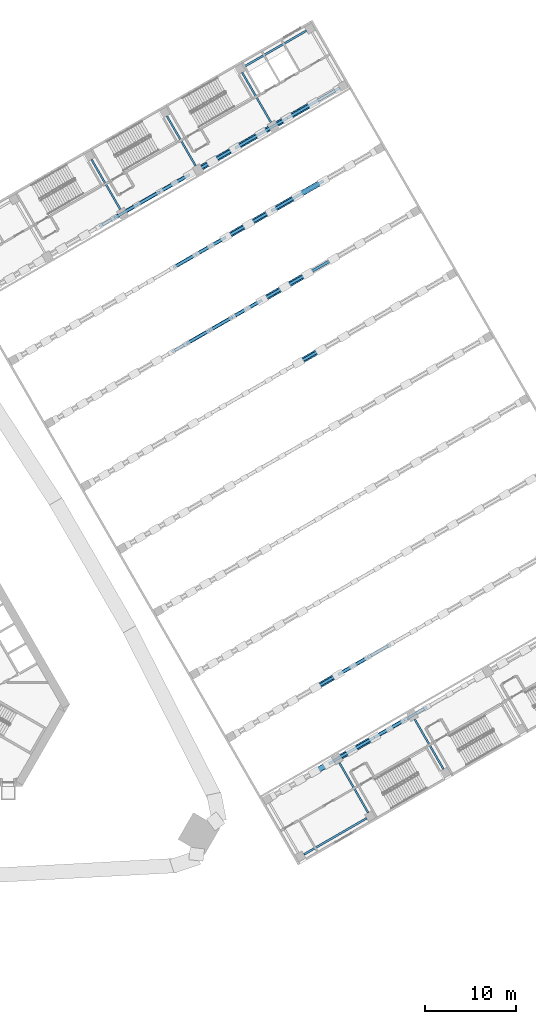
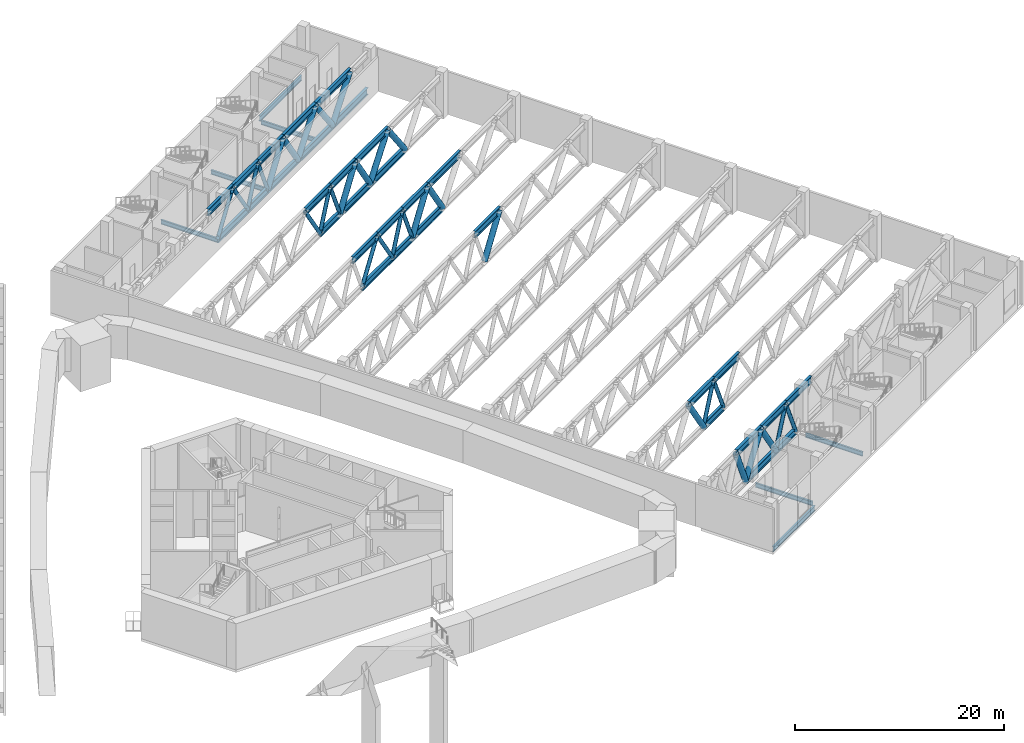
# One storey, part 9 of 37: 63 members, 7 beams.
"""IFC4 building model written with IfcOpenShell, lengths in metres."""

from ifc_helpers import new_model, si_unit, direction, frame, origin, origin_2d, place, context, subcontext, project, spatial, hollow_circle, i_section, extrude, material, material_profile, profile_set, type_object, element, save


model = new_model("IFC4")

# Units and contexts
model_context = context("Model", 3, precision=1e-05, world=origin(), true_north=direction((0.0, 1.0)))
body_context = subcontext(model_context, "Body", "Model", "MODEL_VIEW")
ifc_project = project(units=[si_unit("LENGTHUNIT", "METRE"), si_unit("AREAUNIT", "SQUARE_METRE"), si_unit("VOLUMEUNIT", "CUBIC_METRE"), si_unit("PLANEANGLEUNIT", "RADIAN"), si_unit("MASSUNIT", "GRAM", prefix="KILO")], contexts=[model_context])

# Site, building, storey
site_placement = place(None, origin())
site = spatial("IfcSite", under=ifc_project, at=site_placement, CompositionType="ELEMENT")
building_placement = place(site_placement, origin())
building = spatial("IfcBuilding", under=site, at=building_placement, Name="Mestral Congress Tower", CompositionType="ELEMENT")
storey_placement = place(building_placement, frame((0.0, 0.0, 16.199951171875)))
storey = spatial("IfcBuildingStorey", under=building, at=storey_placement, Name="L03", CompositionType="ELEMENT", Elevation=16.199951171875)

# Beams
ifc_material = material(Name="Steel S355", Category="steel")
ifc_material_profile_1 = material_profile(ifc_material, i_section(OverallWidth=0.199951171875, OverallDepth=0.5, WebThickness=0.01025390625, FlangeThickness=0.01611328125, FilletRadius=0.02099609375, at=origin_2d()), Name="IPE 500")
ifc_profile_set_1 = profile_set([ifc_material_profile_1], Name="Steel S355")
beam_type_1 = type_object("IfcBeamType", Name="Floor beam IPE 500 S355", PredefinedType="BEAM", material=ifc_profile_set_1)
for number, where, z_axis, x_axis, name in (
    (1, (50.193115234375, -15.881103515625, -0.550048828125), (-0.500005339912, 0.866022320763, 0.0), (-0.866022320763, -0.500005339912, 0.0), "BM-L03-E-U01B"),
    (2, (58.507080078125, -11.0810546875, -0.550048828125), (-0.500005339912, 0.866022320763, 0.0), (-0.866022320763, -0.500005339912, 0.0), "BM-L03-E-U01C"),
    (3, (22.83203125, 50.709716796875, -0.550048828125), (-0.500005339912, 0.866022320763, 0.0), (-0.866022320763, -0.500005339912, 0.0), "BM-L03-E-U10C"),
    (4, (31.145751953125, 55.509765625, -0.550048828125), (-0.500005339912, 0.866022320763, 0.0), (-0.866022320763, -0.500005339912, 0.0), "BM-L03-E-U10D"),
    (5, (39.459716796875, 60.309814453125, -0.550048828125), (-0.500005339912, 0.866022320763, 0.0), (-0.866022320763, -0.500005339912, 0.0), "BM-L03-E-U10E"),
):
    element("IfcBeam", number, at=place(storey_placement, frame(where, z_axis=z_axis, x_axis=x_axis)), inside=storey, type_object=beam_type_1, Name=name, PredefinedType="BEAM", context=body_context, shape_type="SweptSolid", body=[
        extrude(i_section(OverallWidth=0.199951171875, OverallDepth=0.5, WebThickness=0.01025390625, FlangeThickness=0.01611328125, FilletRadius=0.02099609375, at=origin_2d()), origin(), (0.0, 0.0, 1.0), 6.35009765625),
    ])
ifc_material_profile_2 = material_profile(ifc_material, i_section(OverallWidth=0.219970703125, OverallDepth=0.60009765625, WebThickness=0.011962890625, FlangeThickness=0.01904296875, FilletRadius=0.02392578125, at=origin_2d()), Name="IPE 600")
ifc_profile_set_2 = profile_set([ifc_material_profile_2], Name="Steel S355")
beam_type_2 = type_object("IfcBeamType", Name="Floor beam IPE 600 S355", PredefinedType="BEAM", material=ifc_profile_set_2)
for number, where, z_axis, x_axis, name in (
    (6, (43.10009765625, -20.495849609375, -0.599853515625), (0.866026010844, 0.49999894854, 0.0), (-0.49999894854, 0.866026010844, 0.0), "BM-L03-E-V01A"),
    (7, (36.449462890625, 66.423828125, -0.599853515625), (0.866026010844, 0.49999894854, 0.0), (-0.49999894854, 0.866026010844, 0.0), "BM-L03-E-V11E"),
):
    element("IfcBeam", number, at=place(storey_placement, frame(where, z_axis=z_axis, x_axis=x_axis)), inside=storey, type_object=beam_type_2, Name=name, PredefinedType="BEAM", context=body_context, shape_type="SweptSolid", body=[
        extrude(i_section(OverallWidth=0.219970703125, OverallDepth=0.60009765625, WebThickness=0.011962890625, FlangeThickness=0.01904296875, FilletRadius=0.02392578125, at=origin_2d()), origin(), (0.0, 0.0, 1.0), 8.0),
    ])

# Members
ifc_material_profile_3 = material_profile(ifc_material, i_section(OverallWidth=0.300048828125, OverallDepth=0.800048828125, WebThickness=0.017578125, FlangeThickness=0.032958984375, FilletRadius=0.030029296875, at=origin_2d()), Name="HEB 800")
ifc_profile_set_3 = profile_set([ifc_material_profile_3], Name="Steel S355")
member_type_1 = type_object("IfcMemberType", Name="Truss chord HEB 800 S355", PredefinedType="CHORD", material=ifc_profile_set_3)
member_1_placement = place(storey_placement, frame((45.85888671875, -10.473876953125, 0.400146484375), z_axis=(0.86601454848, 0.500018801468, 0.0), x_axis=(-0.500018801468, 0.86601454848, 0.0)))
element("IfcMember", 8, at=member_1_placement, inside=storey, type_object=member_type_1, Name="MB-E-T1-BC03", PredefinedType="CHORD", context=body_context, shape_type="SweptSolid", body=[
    extrude(i_section(OverallWidth=0.300048828125, OverallDepth=0.800048828125, WebThickness=0.017578125, FlangeThickness=0.032958984375, FilletRadius=0.030029296875, at=origin_2d()), origin(), (0.0, 0.0, 1.0), 5.800048828125),
])
member_2_placement = place(storey_placement, frame((50.8818359375, -7.57373046875, 0.400146484375), z_axis=(0.866028304915, 0.499994975061, 0.0), x_axis=(-0.499994975061, 0.866028304915, 0.0)))
element("IfcMember", 9, at=member_2_placement, inside=storey, type_object=member_type_1, Name="MB-E-T1-BC04", PredefinedType="CHORD", context=body_context, shape_type="SweptSolid", body=[
    extrude(i_section(OverallWidth=0.300048828125, OverallDepth=0.800048828125, WebThickness=0.017578125, FlangeThickness=0.032958984375, FilletRadius=0.030029296875, at=origin_2d()), origin(), (0.0, 0.0, 1.0), 3.7998046875),
])
member_3_placement = place(storey_placement, frame((44.256591796875, -11.398681640625, 4.699951171875), z_axis=(0.866033238375, 0.499986429846, 0.0), x_axis=(-0.499986429846, 0.866033238375, 0.0)))
element("IfcMember", 10, at=member_3_placement, inside=storey, type_object=member_type_1, Name="MB-E-T1-TC03", PredefinedType="CHORD", context=body_context, shape_type="SweptSolid", body=[
    extrude(i_section(OverallWidth=0.300048828125, OverallDepth=0.800048828125, WebThickness=0.017578125, FlangeThickness=0.032958984375, FilletRadius=0.030029296875, at=origin_2d()), origin(), (0.0, 0.0, 1.0), 4.750244140625),
])
member_4_placement = place(storey_placement, frame((48.370361328125, -9.023681640625, 4.699951171875), z_axis=(0.866024647952, 0.500001309137, 0.0), x_axis=(-0.500001309137, 0.866024647952, 0.0)))
element("IfcMember", 11, at=member_4_placement, inside=storey, type_object=member_type_1, Name="MB-E-T1-TC04", PredefinedType="CHORD", context=body_context, shape_type="SweptSolid", body=[
    extrude(i_section(OverallWidth=0.300048828125, OverallDepth=0.800048828125, WebThickness=0.017578125, FlangeThickness=0.032958984375, FilletRadius=0.030029296875, at=origin_2d()), origin(), (0.0, 0.0, 1.0), 4.7998046875),
])
member_5_placement = place(storey_placement, frame((52.527099609375, -6.623779296875, 4.699951171875), z_axis=(0.866037363387, 0.499979284789, 0.0), x_axis=(-0.499979284789, 0.866037363387, 0.0)))
element("IfcMember", 12, at=member_5_placement, inside=storey, type_object=member_type_1, Name="MB-E-T1-TC05", PredefinedType="CHORD", context=body_context, shape_type="SweptSolid", body=[
    extrude(i_section(OverallWidth=0.300048828125, OverallDepth=0.800048828125, WebThickness=0.017578125, FlangeThickness=0.032958984375, FilletRadius=0.030029296875, at=origin_2d()), origin(), (0.0, 0.0, 1.0), 4.800048828125),
])
member_6_placement = place(storey_placement, frame((46.8818359375, -0.6455078125, 0.400146484375), z_axis=(0.866028304915, 0.499994975061, 0.0), x_axis=(-0.499994975061, 0.866028304915, 0.0)))
element("IfcMember", 13, at=member_6_placement, inside=storey, type_object=member_type_1, Name="MB-E-T2-BC04", PredefinedType="CHORD", context=body_context, shape_type="SweptSolid", body=[
    extrude(i_section(OverallWidth=0.300048828125, OverallDepth=0.800048828125, WebThickness=0.017578125, FlangeThickness=0.032958984375, FilletRadius=0.030029296875, at=origin_2d()), origin(), (0.0, 0.0, 1.0), 3.7998046875),
])
member_7_placement = place(storey_placement, frame((44.370361328125, -2.095703125, 4.699951171875), z_axis=(0.866002622515, 0.50003945624, 0.0), x_axis=(-0.50003945624, 0.866002622515, 0.0)))
element("IfcMember", 14, at=member_7_placement, inside=storey, type_object=member_type_1, Name="MB-E-T2-TC04", PredefinedType="CHORD", context=body_context, shape_type="SweptSolid", body=[
    extrude(i_section(OverallWidth=0.300048828125, OverallDepth=0.800048828125, WebThickness=0.017578125, FlangeThickness=0.032958984375, FilletRadius=0.030029296875, at=origin_2d()), origin(), (0.0, 0.0, 1.0), 4.7998046875),
])
for number, where, z_axis, x_axis, name in (
    (15, (48.527099609375, 0.304443359375, 4.699951171875), (0.866037363387, 0.499979284789, 0.0), (-0.499979284789, 0.866037363387, 0.0), "MB-E-T2-TC05"),
    (16, (40.841064453125, 32.817138671875, 4.699951171875), (0.866015339567, 0.500017431331, 0.0), (-0.500017431331, 0.866015339567, 0.0), "MB-E-T6-TC07"),
):
    element("IfcMember", number, at=place(storey_placement, frame(where, z_axis=z_axis, x_axis=x_axis)), inside=storey, type_object=member_type_1, Name=name, PredefinedType="CHORD", context=body_context, shape_type="SweptSolid", body=[
        extrude(i_section(OverallWidth=0.300048828125, OverallDepth=0.800048828125, WebThickness=0.017578125, FlangeThickness=0.032958984375, FilletRadius=0.030029296875, at=origin_2d()), origin(), (0.0, 0.0, 1.0), 4.800048828125),
    ])
member_8_placement = place(storey_placement, frame((30.172607421875, 35.8955078125, 0.400146484375), z_axis=(0.866032775405, 0.499987231761, 0.0), x_axis=(-0.499987231761, 0.866032775405, 0.0)))
element("IfcMember", 17, at=member_8_placement, inside=storey, type_object=member_type_1, Name="MB-E-T7-BC05", PredefinedType="CHORD", context=body_context, shape_type="SweptSolid", body=[
    extrude(i_section(OverallWidth=0.300048828125, OverallDepth=0.800048828125, WebThickness=0.017578125, FlangeThickness=0.032958984375, FilletRadius=0.030029296875, at=origin_2d()), origin(), (0.0, 0.0, 1.0), 5.800048828125),
])
member_9_placement = place(storey_placement, frame((35.195556640625, 38.79541015625, 0.400146484375), z_axis=(0.866044365799, 0.499967155389, 0.0), x_axis=(-0.499967155389, 0.866044365799, 0.0)))
element("IfcMember", 18, at=member_9_placement, inside=storey, type_object=member_type_1, Name="MB-E-T7-BC06", PredefinedType="CHORD", context=body_context, shape_type="SweptSolid", body=[
    extrude(i_section(OverallWidth=0.300048828125, OverallDepth=0.800048828125, WebThickness=0.017578125, FlangeThickness=0.032958984375, FilletRadius=0.030029296875, at=origin_2d()), origin(), (0.0, 0.0, 1.0), 3.800048828125),
])
member_10_placement = place(storey_placement, frame((38.486572265625, 40.6953125, 0.400146484375), z_axis=(0.86601454848, 0.500018801468, 0.0), x_axis=(-0.500018801468, 0.86601454848, 0.0)))
element("IfcMember", 19, at=member_10_placement, inside=storey, type_object=member_type_1, Name="MB-E-T7-BC07", PredefinedType="CHORD", context=body_context, shape_type="SweptSolid", body=[
    extrude(i_section(OverallWidth=0.300048828125, OverallDepth=0.800048828125, WebThickness=0.017578125, FlangeThickness=0.032958984375, FilletRadius=0.030029296875, at=origin_2d()), origin(), (0.0, 0.0, 1.0), 5.800048828125),
])
for number, where, z_axis, x_axis, name in (
    (20, (28.527099609375, 34.9453125, 4.699951171875), (0.866015339567, 0.500017431331, 0.0), (-0.500017431331, 0.866015339567, 0.0), "MB-E-T7-TC05"),
    (21, (32.68408203125, 37.345458984375, 4.699951171875), (0.866037363387, 0.499979284789, 0.0), (-0.499979284789, 0.866037363387, 0.0), "MB-E-T7-TC06"),
    (22, (36.841064453125, 39.745361328125, 4.699951171875), (0.866015339567, 0.500017431331, 0.0), (-0.500017431331, 0.866015339567, 0.0), "MB-E-T7-TC07"),
):
    element("IfcMember", number, at=place(storey_placement, frame(where, z_axis=z_axis, x_axis=x_axis)), inside=storey, type_object=member_type_1, Name=name, PredefinedType="CHORD", context=body_context, shape_type="SweptSolid", body=[
        extrude(i_section(OverallWidth=0.300048828125, OverallDepth=0.800048828125, WebThickness=0.017578125, FlangeThickness=0.032958984375, FilletRadius=0.030029296875, at=origin_2d()), origin(), (0.0, 0.0, 1.0), 4.800048828125),
    ])
member_11_placement = place(storey_placement, frame((40.998046875, 42.1455078125, 4.699951171875), z_axis=(0.866033407698, 0.499986136558, 0.0), x_axis=(-0.499986136558, 0.866033407698, 0.0)))
element("IfcMember", 23, at=member_11_placement, inside=storey, type_object=member_type_1, Name="MB-E-T7-TC08", PredefinedType="CHORD", context=body_context, shape_type="SweptSolid", body=[
    extrude(i_section(OverallWidth=0.300048828125, OverallDepth=0.800048828125, WebThickness=0.017578125, FlangeThickness=0.032958984375, FilletRadius=0.030029296875, at=origin_2d()), origin(), (0.0, 0.0, 1.0), 6.224853515625),
])
member_12_placement = place(storey_placement, frame((31.195556640625, 45.7236328125, 0.400146484375), z_axis=(0.866044365799, 0.499967155389, 0.0), x_axis=(-0.499967155389, 0.866044365799, 0.0)))
element("IfcMember", 24, at=member_12_placement, inside=storey, type_object=member_type_1, Name="MB-E-T8-BC06", PredefinedType="CHORD", context=body_context, shape_type="SweptSolid", body=[
    extrude(i_section(OverallWidth=0.300048828125, OverallDepth=0.800048828125, WebThickness=0.017578125, FlangeThickness=0.032958984375, FilletRadius=0.030029296875, at=origin_2d()), origin(), (0.0, 0.0, 1.0), 3.800048828125),
])
member_13_placement = place(storey_placement, frame((34.486572265625, 47.62353515625, 0.400146484375), z_axis=(0.86601454848, 0.500018801468, 0.0), x_axis=(-0.500018801468, 0.86601454848, 0.0)))
element("IfcMember", 25, at=member_13_placement, inside=storey, type_object=member_type_1, Name="MB-E-T8-BC07", PredefinedType="CHORD", context=body_context, shape_type="SweptSolid", body=[
    extrude(i_section(OverallWidth=0.300048828125, OverallDepth=0.800048828125, WebThickness=0.017578125, FlangeThickness=0.032958984375, FilletRadius=0.030029296875, at=origin_2d()), origin(), (0.0, 0.0, 1.0), 5.800048828125),
])
member_14_placement = place(storey_placement, frame((39.509521484375, 50.523681640625, 0.400146484375), z_axis=(0.866027239912, 0.49999681972, 0.0), x_axis=(-0.49999681972, 0.866027239912, 0.0)))
element("IfcMember", 26, at=member_14_placement, inside=storey, type_object=member_type_1, Name="MB-E-T8-BC08", PredefinedType="CHORD", context=body_context, shape_type="SweptSolid", body=[
    extrude(i_section(OverallWidth=0.300048828125, OverallDepth=0.800048828125, WebThickness=0.017578125, FlangeThickness=0.032958984375, FilletRadius=0.030029296875, at=origin_2d()), origin(), (0.0, 0.0, 1.0), 6.64990234375),
])
for number, where, z_axis, x_axis, name in (
    (27, (28.68408203125, 44.273681640625, 4.699951171875), (0.866037363387, 0.499979284789, 0.0), (-0.499979284789, 0.866037363387, 0.0), "MB-E-T8-TC06"),
    (28, (32.841064453125, 46.673583984375, 4.699951171875), (0.866037363387, 0.499979284789, 0.0), (-0.499979284789, 0.866037363387, 0.0), "MB-E-T8-TC07"),
):
    element("IfcMember", number, at=place(storey_placement, frame(where, z_axis=z_axis, x_axis=x_axis)), inside=storey, type_object=member_type_1, Name=name, PredefinedType="CHORD", context=body_context, shape_type="SweptSolid", body=[
        extrude(i_section(OverallWidth=0.300048828125, OverallDepth=0.800048828125, WebThickness=0.017578125, FlangeThickness=0.032958984375, FilletRadius=0.030029296875, at=origin_2d()), origin(), (0.0, 0.0, 1.0), 4.800048828125),
    ])
member_15_placement = place(storey_placement, frame((36.998046875, 49.073486328125, 4.699951171875), z_axis=(0.866016424762, 0.5000155518, 0.0), x_axis=(-0.5000155518, 0.866016424762, 0.0)))
element("IfcMember", 29, at=member_15_placement, inside=storey, type_object=member_type_1, Name="MB-E-T8-TC08", PredefinedType="CHORD", context=body_context, shape_type="SweptSolid", body=[
    extrude(i_section(OverallWidth=0.300048828125, OverallDepth=0.800048828125, WebThickness=0.017578125, FlangeThickness=0.032958984375, FilletRadius=0.030029296875, at=origin_2d()), origin(), (0.0, 0.0, 1.0), 6.224853515625),
])
member_16_placement = place(storey_placement, frame((22.172607421875, 49.751708984375, 0.400146484375), z_axis=(0.86601454848, 0.500018801468, 0.0), x_axis=(-0.500018801468, 0.86601454848, 0.0)))
element("IfcMember", 30, at=member_16_placement, inside=storey, type_object=member_type_1, Name="MB-E-T9-BC05", PredefinedType="CHORD", context=body_context, shape_type="SweptSolid", body=[
    extrude(i_section(OverallWidth=0.300048828125, OverallDepth=0.800048828125, WebThickness=0.017578125, FlangeThickness=0.032958984375, FilletRadius=0.030029296875, at=origin_2d()), origin(), (0.0, 0.0, 1.0), 5.800048828125),
])
member_17_placement = place(storey_placement, frame((27.195556640625, 52.65185546875, 0.400146484375), z_axis=(0.866044365799, 0.499967155389, 0.0), x_axis=(-0.499967155389, 0.866044365799, 0.0)))
element("IfcMember", 31, at=member_17_placement, inside=storey, type_object=member_type_1, Name="MB-E-T9-BC06", PredefinedType="CHORD", context=body_context, shape_type="SweptSolid", body=[
    extrude(i_section(OverallWidth=0.300048828125, OverallDepth=0.800048828125, WebThickness=0.017578125, FlangeThickness=0.032958984375, FilletRadius=0.030029296875, at=origin_2d()), origin(), (0.0, 0.0, 1.0), 3.800048828125),
])
member_18_placement = place(storey_placement, frame((30.486572265625, 54.5517578125, 0.400146484375), z_axis=(0.86601454848, 0.500018801468, 0.0), x_axis=(-0.500018801468, 0.86601454848, 0.0)))
element("IfcMember", 32, at=member_18_placement, inside=storey, type_object=member_type_1, Name="MB-E-T9-BC07", PredefinedType="CHORD", context=body_context, shape_type="SweptSolid", body=[
    extrude(i_section(OverallWidth=0.300048828125, OverallDepth=0.800048828125, WebThickness=0.017578125, FlangeThickness=0.032958984375, FilletRadius=0.030029296875, at=origin_2d()), origin(), (0.0, 0.0, 1.0), 5.800048828125),
])
for number, where, z_axis, x_axis, name in (
    (33, (35.509521484375, 57.451904296875, 0.400146484375), (0.866027239912, 0.49999681972, 0.0), (-0.49999681972, 0.866027239912, 0.0), "MB-E-T9-BC08"),
    (34, (41.2685546875, 60.77685546875, 0.400146484375), (0.866027239912, 0.49999681972, 0.0), (-0.49999681972, 0.866027239912, 0.0), "MB-E-T9-BC09"),
):
    element("IfcMember", number, at=place(storey_placement, frame(where, z_axis=z_axis, x_axis=x_axis)), inside=storey, type_object=member_type_1, Name=name, PredefinedType="CHORD", context=body_context, shape_type="SweptSolid", body=[
        extrude(i_section(OverallWidth=0.300048828125, OverallDepth=0.800048828125, WebThickness=0.017578125, FlangeThickness=0.032958984375, FilletRadius=0.030029296875, at=origin_2d()), origin(), (0.0, 0.0, 1.0), 6.64990234375),
    ])
for number, where, z_axis, x_axis, name in (
    (35, (20.527099609375, 48.8017578125, 4.699951171875), (0.866015339567, 0.500017431331, 0.0), (-0.500017431331, 0.866015339567, 0.0), "MB-E-T9-TC05"),
    (36, (24.68408203125, 51.201904296875, 4.699951171875), (0.866037363387, 0.499979284789, 0.0), (-0.499979284789, 0.866037363387, 0.0), "MB-E-T9-TC06"),
    (37, (28.841064453125, 53.601806640625, 4.699951171875), (0.866037363387, 0.499979284789, 0.0), (-0.499979284789, 0.866037363387, 0.0), "MB-E-T9-TC07"),
):
    element("IfcMember", number, at=place(storey_placement, frame(where, z_axis=z_axis, x_axis=x_axis)), inside=storey, type_object=member_type_1, Name=name, PredefinedType="CHORD", context=body_context, shape_type="SweptSolid", body=[
        extrude(i_section(OverallWidth=0.300048828125, OverallDepth=0.800048828125, WebThickness=0.017578125, FlangeThickness=0.032958984375, FilletRadius=0.030029296875, at=origin_2d()), origin(), (0.0, 0.0, 1.0), 4.800048828125),
    ])
member_19_placement = place(storey_placement, frame((32.998046875, 56.001708984375, 4.699951171875), z_axis=(0.866016424762, 0.5000155518, 0.0), x_axis=(-0.5000155518, 0.866016424762, 0.0)))
element("IfcMember", 38, at=member_19_placement, inside=storey, type_object=member_type_1, Name="MB-E-T9-TC08", PredefinedType="CHORD", context=body_context, shape_type="SweptSolid", body=[
    extrude(i_section(OverallWidth=0.300048828125, OverallDepth=0.800048828125, WebThickness=0.017578125, FlangeThickness=0.032958984375, FilletRadius=0.030029296875, at=origin_2d()), origin(), (0.0, 0.0, 1.0), 6.224853515625),
])
member_20_placement = place(storey_placement, frame((38.388916015625, 59.1142578125, 4.699951171875), z_axis=(0.866036417653, 0.499980922934, 0.0), x_axis=(-0.499980922934, 0.866036417653, 0.0)))
element("IfcMember", 39, at=member_20_placement, inside=storey, type_object=member_type_1, Name="MB-E-T9-TC09", PredefinedType="CHORD", context=body_context, shape_type="SweptSolid", body=[
    extrude(i_section(OverallWidth=0.300048828125, OverallDepth=0.800048828125, WebThickness=0.017578125, FlangeThickness=0.032958984375, FilletRadius=0.030029296875, at=origin_2d()), origin(), (0.0, 0.0, 1.0), 6.650146484375),
])
ifc_material_profile_4 = material_profile(ifc_material, hollow_circle(Radius=0.203125, WallThickness=0.01611328125, at=origin_2d()), Name="CHS 406.4x16")
ifc_profile_set_4 = profile_set([ifc_material_profile_4], Name="Steel S355")
member_type_2 = type_object("IfcMemberType", Name="Truss diagonal CHS 406.4x16 S355", PredefinedType="BRACE", material=ifc_profile_set_4)
for number, where, z_axis, x_axis, name in (
    (40, (50.8818359375, -7.57373046875, 0.400146484375), (0.349995738631, 0.20208241861, 0.914694309061), (-0.500022797313, 0.86601224135, 0.0), "MB-E-T1-D07"),
    (41, (52.527099609375, -6.623779296875, 4.699951171875), (0.350041311257, 0.202078745119, -0.914677681582), (-0.499967155389, 0.866044365799, 0.0), "MB-E-T1-D08"),
    (42, (46.8818359375, -0.6455078125, 0.400146484375), (0.349995738631, 0.20208241861, 0.914694309061), (-0.500022797313, 0.86601224135, 0.0), "MB-E-T2-D07"),
    (43, (48.527099609375, 0.304443359375, 4.699951171875), (0.350041311257, 0.202078745119, -0.914677681582), (-0.499967155389, 0.866044365799, 0.0), "MB-E-T2-D08"),
):
    element("IfcMember", number, at=place(storey_placement, frame(where, z_axis=z_axis, x_axis=x_axis)), inside=storey, type_object=member_type_2, Name=name, PredefinedType="BRACE", context=body_context, shape_type="SweptSolid", body=[
        extrude(hollow_circle(Radius=0.203125, WallThickness=0.01611328125, at=origin_2d()), origin(), (0.0, 0.0, 1.0), 4.700927734375),
    ])
for number, where, z_axis, x_axis, name in (
    (44, (30.172607421875, 35.8955078125, 0.400146484375), (0.484247420666, 0.279570859467, 0.829062464544), (-0.499987231761, 0.866032775405, 0.0), "MB-E-T7-D09"),
    (45, (32.68408203125, 37.345458984375, 4.699951171875), (0.484247420666, 0.279570859467, -0.829062464544), (-0.499987231761, 0.866032775405, 0.0), "MB-E-T7-D10"),
):
    element("IfcMember", number, at=place(storey_placement, frame(where, z_axis=z_axis, x_axis=x_axis)), inside=storey, type_object=member_type_2, Name=name, PredefinedType="BRACE", context=body_context, shape_type="SweptSolid", body=[
        extrude(hollow_circle(Radius=0.203125, WallThickness=0.01611328125, at=origin_2d()), origin(), (0.0, 0.0, 1.0), 5.186279296875),
    ])
for number, where, z_axis, x_axis, name in (
    (46, (35.195556640625, 38.79541015625, 0.400146484375), (0.350041311257, 0.202078745119, 0.914677681582), (-0.499967155389, 0.866044365799, 0.0), "MB-E-T7-D11"),
    (47, (36.841064453125, 39.745361328125, 4.699951171875), (0.350041311257, 0.202078745119, -0.914677681582), (-0.499967155389, 0.866044365799, 0.0), "MB-E-T7-D12"),
):
    element("IfcMember", number, at=place(storey_placement, frame(where, z_axis=z_axis, x_axis=x_axis)), inside=storey, type_object=member_type_2, Name=name, PredefinedType="BRACE", context=body_context, shape_type="SweptSolid", body=[
        extrude(hollow_circle(Radius=0.203125, WallThickness=0.01611328125, at=origin_2d()), origin(), (0.0, 0.0, 1.0), 4.700927734375),
    ])
member_21_placement = place(storey_placement, frame((28.68408203125, 44.273681640625, 4.699951171875), z_axis=(0.484247420666, 0.279570859467, -0.829062464544), x_axis=(-0.499987231761, 0.866032775405, 0.0)))
element("IfcMember", 48, at=member_21_placement, inside=storey, type_object=member_type_2, Name="MB-E-T8-D10", PredefinedType="BRACE", context=body_context, shape_type="SweptSolid", body=[
    extrude(hollow_circle(Radius=0.203125, WallThickness=0.01611328125, at=origin_2d()), origin(), (0.0, 0.0, 1.0), 5.186279296875),
])
for number, where, z_axis, x_axis, name in (
    (49, (31.195556640625, 45.7236328125, 0.400146484375), (0.350041311257, 0.202078745119, 0.914677681582), (-0.499967155389, 0.866044365799, 0.0), "MB-E-T8-D11"),
    (50, (32.841064453125, 46.673583984375, 4.699951171875), (0.350041311257, 0.202078745119, -0.914677681582), (-0.499967155389, 0.866044365799, 0.0), "MB-E-T8-D12"),
):
    element("IfcMember", number, at=place(storey_placement, frame(where, z_axis=z_axis, x_axis=x_axis)), inside=storey, type_object=member_type_2, Name=name, PredefinedType="BRACE", context=body_context, shape_type="SweptSolid", body=[
        extrude(hollow_circle(Radius=0.203125, WallThickness=0.01611328125, at=origin_2d()), origin(), (0.0, 0.0, 1.0), 4.700927734375),
    ])
member_22_placement = place(storey_placement, frame((22.172607421875, 49.751708984375, 0.400146484375), z_axis=(0.484241047345, 0.27961425306, 0.829051553012), x_axis=(-0.50005036918, 0.865996321171, 0.0)))
element("IfcMember", 51, at=member_22_placement, inside=storey, type_object=member_type_2, Name="MB-E-T9-D09", PredefinedType="BRACE", context=body_context, shape_type="SweptSolid", body=[
    extrude(hollow_circle(Radius=0.203125, WallThickness=0.01611328125, at=origin_2d()), origin(), (0.0, 0.0, 1.0), 5.1865234375),
])
member_23_placement = place(storey_placement, frame((24.68408203125, 51.201904296875, 4.699951171875), z_axis=(0.484247420666, 0.279570859467, -0.829062464544), x_axis=(-0.499987231761, 0.866032775405, 0.0)))
element("IfcMember", 52, at=member_23_placement, inside=storey, type_object=member_type_2, Name="MB-E-T9-D10", PredefinedType="BRACE", context=body_context, shape_type="SweptSolid", body=[
    extrude(hollow_circle(Radius=0.203125, WallThickness=0.01611328125, at=origin_2d()), origin(), (0.0, 0.0, 1.0), 5.186279296875),
])
for number, where, z_axis, x_axis, name in (
    (53, (27.195556640625, 52.65185546875, 0.400146484375), (0.350041311257, 0.202078745119, 0.914677681582), (-0.499967155389, 0.866044365799, 0.0), "MB-E-T9-D11"),
    (54, (28.841064453125, 53.601806640625, 4.699951171875), (0.350041311257, 0.202078745119, -0.914677681582), (-0.499967155389, 0.866044365799, 0.0), "MB-E-T9-D12"),
):
    element("IfcMember", number, at=place(storey_placement, frame(where, z_axis=z_axis, x_axis=x_axis)), inside=storey, type_object=member_type_2, Name=name, PredefinedType="BRACE", context=body_context, shape_type="SweptSolid", body=[
        extrude(hollow_circle(Radius=0.203125, WallThickness=0.01611328125, at=origin_2d()), origin(), (0.0, 0.0, 1.0), 4.700927734375),
    ])
ifc_material_profile_5 = material_profile(ifc_material, hollow_circle(Radius=0.304931640625, WallThickness=0.02490234375, at=origin_2d()), Name="CHS 610x25")
ifc_profile_set_5 = profile_set([ifc_material_profile_5], Name="Steel S355")
member_type_3 = type_object("IfcMemberType", Name="Truss diagonal CHS 610x25 S355", PredefinedType="BRACE", material=ifc_profile_set_5)
member_24_placement = place(storey_placement, frame((44.256591796875, -11.398681640625, 4.699951171875), z_axis=(0.342304036233, 0.197569356887, -0.918582764914), x_axis=(-0.499886193382, 0.866091100096, 0.0)))
element("IfcMember", 55, at=member_24_placement, inside=storey, type_object=member_type_3, Name="MB-E-T1-D04", PredefinedType="BRACE", context=body_context, shape_type="SweptSolid", body=[
    extrude(hollow_circle(Radius=0.304931640625, WallThickness=0.02490234375, at=origin_2d()), origin(), (0.0, 0.0, 1.0), 4.680908203125),
])
member_25_placement = place(storey_placement, frame((45.85888671875, -10.473876953125, 0.400146484375), z_axis=(0.484241047345, 0.27961425306, 0.829051553012), x_axis=(-0.50005036918, 0.865996321171, 0.0)))
element("IfcMember", 56, at=member_25_placement, inside=storey, type_object=member_type_3, Name="MB-E-T1-D05", PredefinedType="BRACE", context=body_context, shape_type="SweptSolid", body=[
    extrude(hollow_circle(Radius=0.304931640625, WallThickness=0.02490234375, at=origin_2d()), origin(), (0.0, 0.0, 1.0), 5.1865234375),
])
member_26_placement = place(storey_placement, frame((48.370361328125, -9.023681640625, 4.699951171875), z_axis=(0.484247420666, 0.279570859467, -0.829062464544), x_axis=(-0.499987231761, 0.866032775405, 0.0)))
element("IfcMember", 57, at=member_26_placement, inside=storey, type_object=member_type_3, Name="MB-E-T1-D06", PredefinedType="BRACE", context=body_context, shape_type="SweptSolid", body=[
    extrude(hollow_circle(Radius=0.304931640625, WallThickness=0.02490234375, at=origin_2d()), origin(), (0.0, 0.0, 1.0), 5.186279296875),
])
for number, where, z_axis, x_axis, name in (
    (58, (44.370361328125, -2.095703125, 4.699951171875), (0.484241047345, 0.27961425306, -0.829051553012), (-0.50005036918, 0.865996321171, 0.0), "MB-E-T2-D06"),
    (59, (42.486572265625, 33.76708984375, 0.400146484375), (0.484241047345, 0.27961425306, 0.829051553012), (-0.50005036918, 0.865996321171, 0.0), "MB-E-T6-D13"),
    (60, (38.486572265625, 40.6953125, 0.400146484375), (0.484241047345, 0.27961425306, 0.829051553012), (-0.50005036918, 0.865996321171, 0.0), "MB-E-T7-D13"),
):
    element("IfcMember", number, at=place(storey_placement, frame(where, z_axis=z_axis, x_axis=x_axis)), inside=storey, type_object=member_type_3, Name=name, PredefinedType="BRACE", context=body_context, shape_type="SweptSolid", body=[
        extrude(hollow_circle(Radius=0.304931640625, WallThickness=0.02490234375, at=origin_2d()), origin(), (0.0, 0.0, 1.0), 5.1865234375),
    ])
for number, where, z_axis, x_axis, name in (
    (61, (40.998046875, 42.1455078125, 4.699951171875), (0.484247420666, 0.279570859467, -0.829062464544), (-0.499987231761, 0.866032775405, 0.0), "MB-E-T7-D14"),
    (62, (34.486572265625, 47.62353515625, 0.400146484375), (0.484247420666, 0.279570859467, 0.829062464544), (-0.499987231761, 0.866032775405, 0.0), "MB-E-T8-D13"),
):
    element("IfcMember", number, at=place(storey_placement, frame(where, z_axis=z_axis, x_axis=x_axis)), inside=storey, type_object=member_type_3, Name=name, PredefinedType="BRACE", context=body_context, shape_type="SweptSolid", body=[
        extrude(hollow_circle(Radius=0.304931640625, WallThickness=0.02490234375, at=origin_2d()), origin(), (0.0, 0.0, 1.0), 5.186279296875),
    ])
member_27_placement = place(storey_placement, frame((36.998046875, 49.073486328125, 4.699951171875), z_axis=(0.484241047345, 0.27961425306, -0.829051553012), x_axis=(-0.50005036918, 0.865996321171, 0.0)))
element("IfcMember", 63, at=member_27_placement, inside=storey, type_object=member_type_3, Name="MB-E-T8-D14", PredefinedType="BRACE", context=body_context, shape_type="SweptSolid", body=[
    extrude(hollow_circle(Radius=0.304931640625, WallThickness=0.02490234375, at=origin_2d()), origin(), (0.0, 0.0, 1.0), 5.1865234375),
])
member_28_placement = place(storey_placement, frame((39.509521484375, 50.523681640625, 0.400146484375), z_axis=(0.529756669385, 0.305843069514, 0.791086523759), x_axis=(-0.499985181294, 0.866033959199, 0.0)))
element("IfcMember", 64, at=member_28_placement, inside=storey, type_object=member_type_3, Name="MB-E-T8-D15", PredefinedType="BRACE", context=body_context, shape_type="SweptSolid", body=[
    extrude(hollow_circle(Radius=0.304931640625, WallThickness=0.02490234375, at=origin_2d()), origin(), (0.0, 0.0, 1.0), 5.435302734375),
])
member_29_placement = place(storey_placement, frame((42.388916015625, 52.18603515625, 4.699951171875), z_axis=(0.52978170185, 0.305876506113, -0.791056831961), x_axis=(-0.500008456887, 0.866020521143, 0.0)))
element("IfcMember", 65, at=member_29_placement, inside=storey, type_object=member_type_3, Name="MB-E-T8-D16", PredefinedType="BRACE", context=body_context, shape_type="SweptSolid", body=[
    extrude(hollow_circle(Radius=0.304931640625, WallThickness=0.02490234375, at=origin_2d()), origin(), (0.0, 0.0, 1.0), 5.435546875),
])
member_30_placement = place(storey_placement, frame((30.486572265625, 54.5517578125, 0.400146484375), z_axis=(0.484247420666, 0.279570859467, 0.829062464544), x_axis=(-0.499987231761, 0.866032775405, 0.0)))
element("IfcMember", 66, at=member_30_placement, inside=storey, type_object=member_type_3, Name="MB-E-T9-D13", PredefinedType="BRACE", context=body_context, shape_type="SweptSolid", body=[
    extrude(hollow_circle(Radius=0.304931640625, WallThickness=0.02490234375, at=origin_2d()), origin(), (0.0, 0.0, 1.0), 5.186279296875),
])
member_31_placement = place(storey_placement, frame((32.998046875, 56.001708984375, 4.699951171875), z_axis=(0.484241047345, 0.27961425306, -0.829051553012), x_axis=(-0.50005036918, 0.865996321171, 0.0)))
element("IfcMember", 67, at=member_31_placement, inside=storey, type_object=member_type_3, Name="MB-E-T9-D14", PredefinedType="BRACE", context=body_context, shape_type="SweptSolid", body=[
    extrude(hollow_circle(Radius=0.304931640625, WallThickness=0.02490234375, at=origin_2d()), origin(), (0.0, 0.0, 1.0), 5.1865234375),
])
member_32_placement = place(storey_placement, frame((35.509521484375, 57.451904296875, 0.400146484375), z_axis=(0.529756669385, 0.305843069514, 0.791086523759), x_axis=(-0.499985181294, 0.866033959199, 0.0)))
element("IfcMember", 68, at=member_32_placement, inside=storey, type_object=member_type_3, Name="MB-E-T9-D15", PredefinedType="BRACE", context=body_context, shape_type="SweptSolid", body=[
    extrude(hollow_circle(Radius=0.304931640625, WallThickness=0.02490234375, at=origin_2d()), origin(), (0.0, 0.0, 1.0), 5.435302734375),
])
for number, where, z_axis, x_axis, name in (
    (69, (38.388916015625, 59.1142578125, 4.699951171875), (0.52978170185, 0.305876506113, -0.791056831961), (-0.500008456887, 0.866020521143, 0.0), "MB-E-T9-D16"),
    (70, (41.2685546875, 60.77685546875, 0.400146484375), (0.529788979969, 0.305835791828, 0.791067699467), (-0.499953387465, 0.866052313871, 0.0), "MB-E-T9-D17"),
):
    element("IfcMember", number, at=place(storey_placement, frame(where, z_axis=z_axis, x_axis=x_axis)), inside=storey, type_object=member_type_3, Name=name, PredefinedType="BRACE", context=body_context, shape_type="SweptSolid", body=[
        extrude(hollow_circle(Radius=0.304931640625, WallThickness=0.02490234375, at=origin_2d()), origin(), (0.0, 0.0, 1.0), 5.435546875),
    ])

save(model, "model.ifc")
